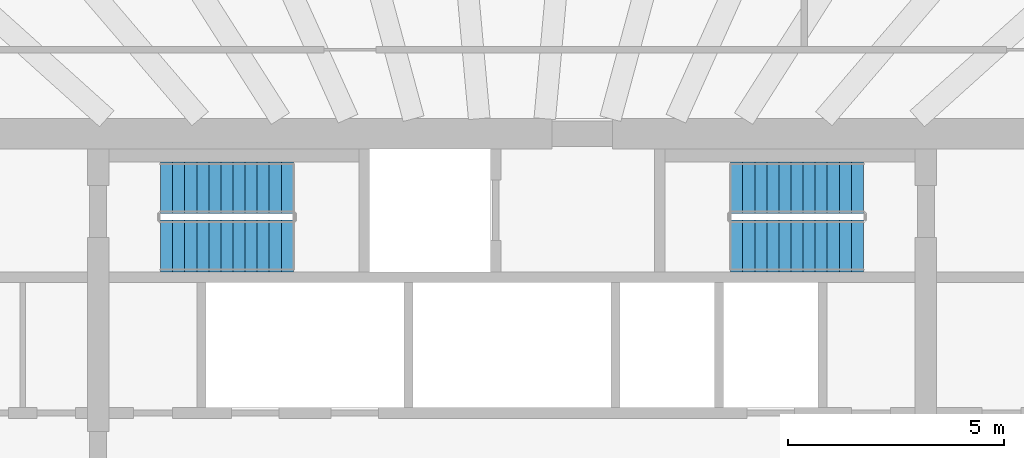
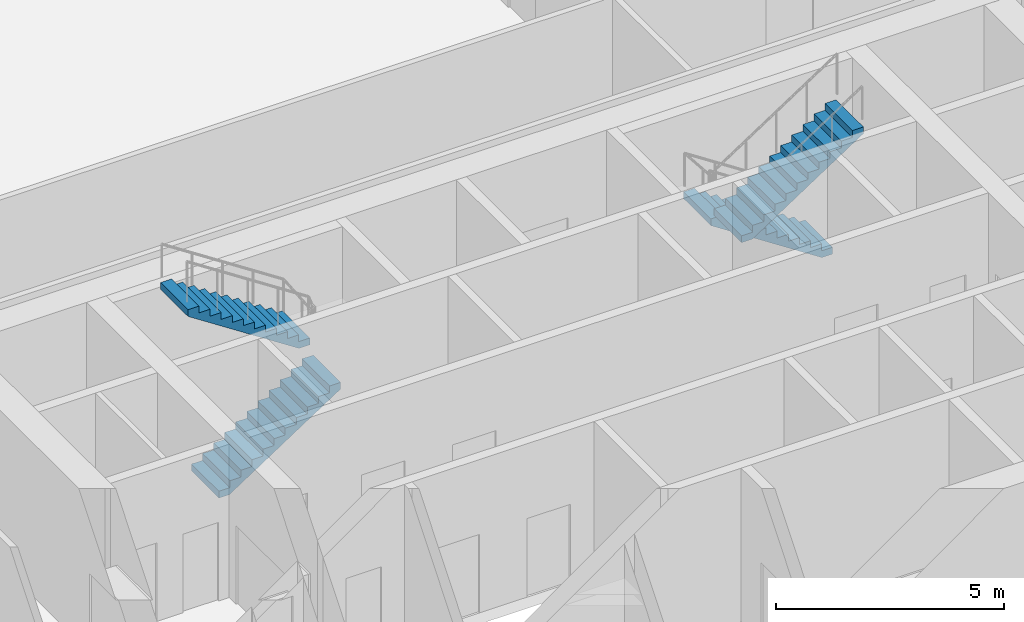
# One storey, part 9 of 13: 4 stair flights, 2 elements without a shape of their own.
"""IFC4 building model written with IfcOpenShell, lengths in metres."""

from ifc_helpers import new_model, si_unit, direction, frame, origin, place, context, subcontext, project, spatial, polyline, outline, extrude, material, layer, layer_set, type_object, element, aggregate, save


model = new_model("IFC4")

# Units and contexts
model_context = context("Model", 3, precision=1e-05, world=origin(), true_north=direction((0.0, 1.0)))
body_context = subcontext(model_context, "Body", "Model", "MODEL_VIEW")
ifc_project = project(units=[si_unit("LENGTHUNIT", "METRE"), si_unit("AREAUNIT", "SQUARE_METRE"), si_unit("VOLUMEUNIT", "CUBIC_METRE"), si_unit("PLANEANGLEUNIT", "RADIAN"), si_unit("MASSUNIT", "GRAM", prefix="KILO")], contexts=[model_context])

# Site, building, storey
site_placement = place(None, origin())
site = spatial("IfcSite", under=ifc_project, at=site_placement, CompositionType="ELEMENT")
building_placement = place(site_placement, origin())
building = spatial("IfcBuilding", under=site, at=building_placement, Name="Frailejon Research Tower", CompositionType="ELEMENT")
storey_placement = place(building_placement, frame((0.0, 0.0, 184.800048828125)))
storey = spatial("IfcBuildingStorey", under=building, at=storey_placement, Name="L40", CompositionType="ELEMENT", Elevation=184.800048828125)

# Stair, stair flights
ifc_material_1 = material(Name="Concrete C50/60", Category="concrete")
stair_type = type_object("IfcStairType", Name="Exit stair 24 risers", PredefinedType="HALF_TURN_STAIR", material=ifc_material_1)
stair_1_placement = place(storey_placement, origin())
stair_1 = element("IfcStair", 1, at=stair_1_placement, inside=storey, type_object=stair_type, Name="L40 Exit stair ST1", PredefinedType="HALF_TURN_STAIR")
ifc_material_2 = material(Name="Concrete C50/60", Category="concrete")
ifc_layer = layer(ifc_material_2, 0.14990234375)
ifc_layer_set = layer_set([ifc_layer], Name="Stair flight 12 risers")
stair_flight_type = type_object("IfcStairFlightType", Name="Stair flight 12 risers", PredefinedType="STRAIGHT", material=ifc_layer_set)
stair_flight_1_placement = place(storey_placement, frame((-8.14990234375, 5.5, 0.0), z_axis=(0.0, 0.0, 1.0), x_axis=(1.0, 0.0, 0.0)))
stair_flight_1 = element("IfcStairFlight", 2, at=stair_flight_1_placement, type_object=stair_flight_type, Name="ST1 flight 1", NumberOfRisers=12, NumberOfTreads=11, PredefinedType="STRAIGHT", RiserHeight=0.183333333, TreadLength=0.28, context=body_context, shape_type="SweptSolid", body=[
    extrude(outline(polyline([(0.0, 0.0), (0.0, 0.183349609375), (0.280029296875, 0.183349609375), (0.280029296875, 0.36669921875), (0.56005859375, 0.36669921875), (0.56005859375, 0.550048828125), (0.840087890625, 0.550048828125), (0.840087890625, 0.7333984375), (1.1201171875, 0.7333984375), (1.1201171875, 0.916748046875), (1.39990234375, 0.916748046875), (1.39990234375, 1.10009765625), (1.679931640625, 1.10009765625), (1.679931640625, 1.283447265625), (1.9599609375, 1.283447265625), (1.9599609375, 1.466552734375), (2.239990234375, 1.466552734375), (2.239990234375, 1.64990234375), (2.52001953125, 1.64990234375), (2.52001953125, 1.833251953125), (2.800048828125, 1.833251953125), (2.800048828125, 2.0166015625), (3.080078125, 2.0166015625), (3.080078125, 2.199951171875), (3.080078125, 1.83740234375), (0.273681640625, 0.0), (0.0, 0.0)])), frame((0.0, 0.60009765625, 0.0), z_axis=(0.0, -1.0, 0.0), x_axis=(1.0, 0.0, 0.0)), (0.0, 0.0, 1.0), 1.199951171875),
])
stair_flight_2_placement = place(storey_placement, frame((-5.070068359375, 6.85009765625, 2.199951171875), z_axis=(0.0, 0.0, 1.0), x_axis=(-1.0, 0.0, 0.0)))
stair_flight_2 = element("IfcStairFlight", 3, at=stair_flight_2_placement, type_object=stair_flight_type, Name="ST1 flight 2", NumberOfRisers=12, NumberOfTreads=11, PredefinedType="STRAIGHT", RiserHeight=0.183333333, TreadLength=0.28, context=body_context, shape_type="SweptSolid", body=[
    extrude(outline(polyline([(0.0, 0.0), (0.0, 0.183349609375), (0.280029296875, 0.183349609375), (0.280029296875, 0.36669921875), (0.56005859375, 0.36669921875), (0.56005859375, 0.550048828125), (0.840087890625, 0.550048828125), (0.840087890625, 0.7333984375), (1.1201171875, 0.7333984375), (1.1201171875, 0.916748046875), (1.39990234375, 0.916748046875), (1.39990234375, 1.10009765625), (1.679931640625, 1.10009765625), (1.679931640625, 1.283447265625), (1.9599609375, 1.283447265625), (1.9599609375, 1.466552734375), (2.239990234375, 1.466552734375), (2.239990234375, 1.64990234375), (2.52001953125, 1.64990234375), (2.52001953125, 1.833251953125), (2.800048828125, 1.833251953125), (2.800048828125, 2.0166015625), (3.080078125, 2.0166015625), (3.080078125, 2.199951171875), (3.080078125, 1.83740234375), (0.273681640625, 0.0), (0.0, 0.0)])), frame((0.0, 0.60009765625, 0.0), z_axis=(0.0, -1.0, 0.0), x_axis=(1.0, 0.0, 0.0)), (0.0, 0.0, 1.0), 1.199951171875),
])
aggregate(stair_1, [stair_flight_1, stair_flight_2])

stair_2_placement = place(storey_placement, origin())
stair_2 = element("IfcStair", 4, at=stair_2_placement, inside=storey, type_object=stair_type, Name="L40 Exit stair ST3", PredefinedType="HALF_TURN_STAIR")
stair_flight_3_placement = place(storey_placement, frame((8.14990234375, 6.85009765625, 0.0), z_axis=(0.0, 0.0, 1.0), x_axis=(-1.0, 0.0, 0.0)))
stair_flight_3 = element("IfcStairFlight", 5, at=stair_flight_3_placement, type_object=stair_flight_type, Name="ST3 flight 1", NumberOfRisers=12, NumberOfTreads=11, PredefinedType="STRAIGHT", RiserHeight=0.183333333, TreadLength=0.28, context=body_context, shape_type="SweptSolid", body=[
    extrude(outline(polyline([(0.0, 0.0), (0.0, 0.183349609375), (0.280029296875, 0.183349609375), (0.280029296875, 0.36669921875), (0.56005859375, 0.36669921875), (0.56005859375, 0.550048828125), (0.840087890625, 0.550048828125), (0.840087890625, 0.7333984375), (1.1201171875, 0.7333984375), (1.1201171875, 0.916748046875), (1.39990234375, 0.916748046875), (1.39990234375, 1.10009765625), (1.679931640625, 1.10009765625), (1.679931640625, 1.283447265625), (1.9599609375, 1.283447265625), (1.9599609375, 1.466552734375), (2.239990234375, 1.466552734375), (2.239990234375, 1.64990234375), (2.52001953125, 1.64990234375), (2.52001953125, 1.833251953125), (2.800048828125, 1.833251953125), (2.800048828125, 2.0166015625), (3.080078125, 2.0166015625), (3.080078125, 2.199951171875), (3.080078125, 1.83740234375), (0.273681640625, 0.0), (0.0, 0.0)])), frame((0.0, 0.60009765625, 0.0), z_axis=(0.0, -1.0, 0.0), x_axis=(1.0, 0.0, 0.0)), (0.0, 0.0, 1.0), 1.199951171875),
])
stair_flight_4_placement = place(storey_placement, frame((5.070068359375, 5.5, 2.199951171875), z_axis=(0.0, 0.0, 1.0), x_axis=(1.0, 0.0, 0.0)))
stair_flight_4 = element("IfcStairFlight", 6, at=stair_flight_4_placement, type_object=stair_flight_type, Name="ST3 flight 2", NumberOfRisers=12, NumberOfTreads=11, PredefinedType="STRAIGHT", RiserHeight=0.183333333, TreadLength=0.28, context=body_context, shape_type="SweptSolid", body=[
    extrude(outline(polyline([(0.0, 0.0), (0.0, 0.183349609375), (0.280029296875, 0.183349609375), (0.280029296875, 0.36669921875), (0.56005859375, 0.36669921875), (0.56005859375, 0.550048828125), (0.840087890625, 0.550048828125), (0.840087890625, 0.7333984375), (1.1201171875, 0.7333984375), (1.1201171875, 0.916748046875), (1.39990234375, 0.916748046875), (1.39990234375, 1.10009765625), (1.679931640625, 1.10009765625), (1.679931640625, 1.283447265625), (1.9599609375, 1.283447265625), (1.9599609375, 1.466552734375), (2.239990234375, 1.466552734375), (2.239990234375, 1.64990234375), (2.52001953125, 1.64990234375), (2.52001953125, 1.833251953125), (2.800048828125, 1.833251953125), (2.800048828125, 2.0166015625), (3.080078125, 2.0166015625), (3.080078125, 2.199951171875), (3.080078125, 1.83740234375), (0.273681640625, 0.0), (0.0, 0.0)])), frame((0.0, 0.60009765625, 0.0), z_axis=(0.0, -1.0, 0.0), x_axis=(1.0, 0.0, 0.0)), (0.0, 0.0, 1.0), 1.199951171875),
])
aggregate(stair_2, [stair_flight_3, stair_flight_4])

save(model, "model.ifc")
